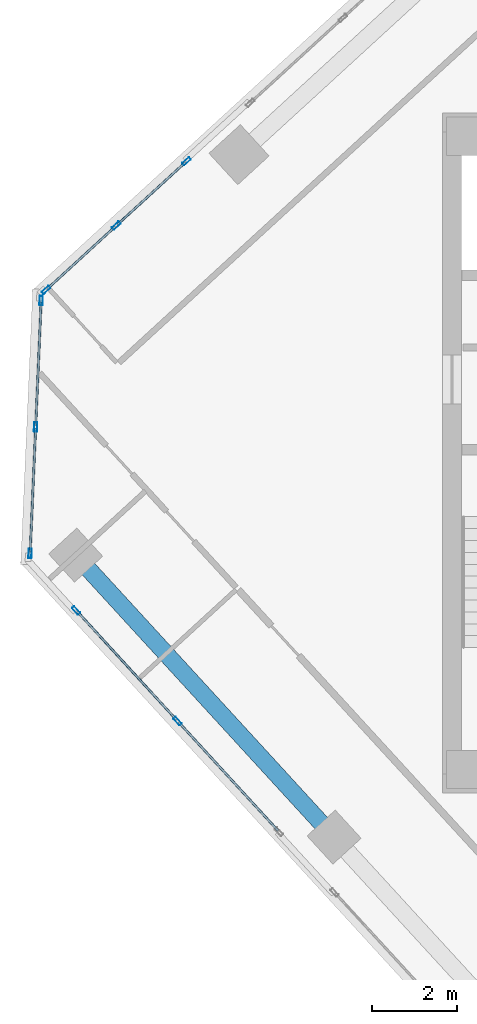
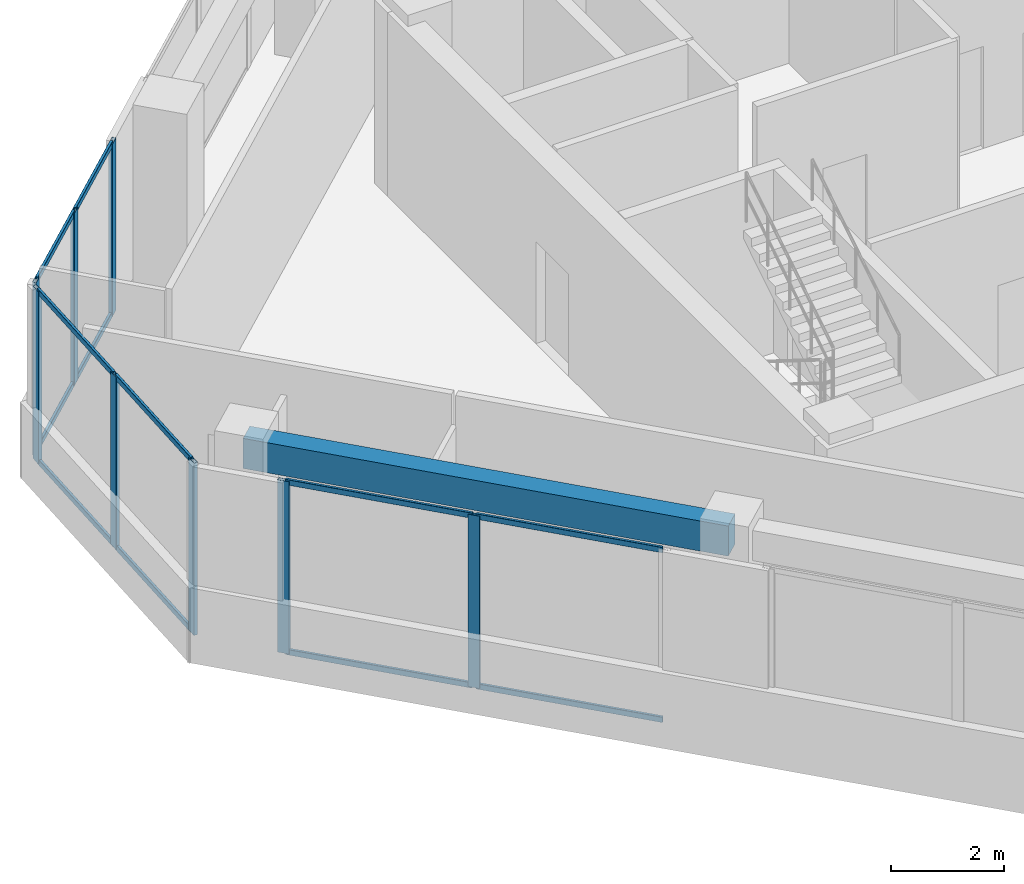
# One storey, part 4 of 18: 20 members, 1 beam, 3 elements without a shape of their own.
"""IFC4 building model written with IfcOpenShell, lengths in metres."""

from ifc_helpers import new_model, si_unit, direction, frame, origin, origin_2d, place, context, subcontext, project, spatial, rectangle, hollow_rectangle, extrude, source, transform, mapped, material, material_profile, profile_set, type_object, element, aggregate, save


model = new_model("IFC4")

# Units and contexts
model_context = context("Model", 3, precision=1e-05, world=origin(), true_north=direction((0.0, 1.0)))
body_context = subcontext(model_context, "Body", "Model", "MODEL_VIEW")
ifc_project = project(units=[si_unit("LENGTHUNIT", "METRE"), si_unit("AREAUNIT", "SQUARE_METRE"), si_unit("VOLUMEUNIT", "CUBIC_METRE"), si_unit("PLANEANGLEUNIT", "RADIAN"), si_unit("MASSUNIT", "GRAM", prefix="KILO")], contexts=[model_context])

# Site, building, storey
site_placement = place(None, origin())
site = spatial("IfcSite", under=ifc_project, at=site_placement, CompositionType="ELEMENT")
building_placement = place(site_placement, origin())
building = spatial("IfcBuilding", under=site, at=building_placement, Name="Torre Montelarca", CompositionType="ELEMENT")
storey_placement = place(building_placement, frame((0.0, 0.0, 258.39990234375)))
storey = spatial("IfcBuildingStorey", under=building, at=storey_placement, Name="L58", CompositionType="ELEMENT", Elevation=258.39990234375)

# Beam
ifc_material_1 = material(Name="Concrete C40/50", Category="concrete")
ifc_material_profile_1 = material_profile(ifc_material_1, rectangle(XDim=0.39990234375, YDim=0.64990234375, at=origin_2d()), Name="RCB400X650", Category="concrete")
ifc_profile_set_1 = profile_set([ifc_material_profile_1], Name="Concrete C40/50")
beam_type = type_object("IfcBeamType", Name="BM-SP-RC650-EXT", PredefinedType="SPANDREL", material=ifc_profile_set_1)
shared_shape_1 = source(origin(), body_context, "Body", "SweptSolid", [
    extrude(rectangle(XDim=0.39990234375, YDim=0.64990234375, at=origin_2d()), origin(), (0.0, 0.0, 1.0), 9.0),
])
beam_placement = place(storey_placement, frame((0.3740234375, 29.595703125, 3.635009765625), z_axis=(0.675590724023, -0.73727686361, 0.0), x_axis=(0.73727686361, 0.675590724023, 0.0)))
element("IfcBeam", 1, at=beam_placement, inside=storey, type_object=beam_type, Name="L58 Grid Girder X 9.0-18.0 at Y=14.8", PredefinedType="SPANDREL", context=body_context, shape_type="MappedRepresentation", body=[
    mapped(shared_shape_1, transform((0.0, 0.0, 0.0), scale=1.0)),
])

# Curtain wall, members
ifc_material_2 = material(Name="Insulated low-E laminated glass", Category="glass")
curtain_wall_type = type_object("IfcCurtainWallType", Name="CW-SYS-Z3", PredefinedType="USERDEFINED", material=ifc_material_2)
curtain_wall_1_placement = place(storey_placement, origin())
curtain_wall_1 = element("IfcCurtainWall", 2, at=curtain_wall_1_placement, inside=storey, type_object=curtain_wall_type, Name="L58 Curtain Wall Run CW-T3-L58-E11-B1", ObjectType="UNITISED GLAZING", PredefinedType="USERDEFINED")
ifc_material_3 = material(Name="Anodised aluminium AA 6063-T6", Category="aluminium")
ifc_material_profile_2 = material_profile(ifc_material_3, hollow_rectangle(XDim=0.054931640625, YDim=0.1201171875, WallThickness=0.00341796875, InnerFilletRadius=0.00341796875, OuterFilletRadius=0.007080078125, at=origin_2d()), Name="ALU55X120X3.5", Category="aluminium")
ifc_profile_set_2 = profile_set([ifc_material_profile_2], Name="Anodised aluminium AA 6063-T6")
member_type_1 = type_object("IfcMemberType", Name="CWT-ALU120", PredefinedType="USERDEFINED", material=ifc_profile_set_2)
shared_shape_2 = source(origin(), body_context, "Body", "SweptSolid", [
    extrude(hollow_rectangle(XDim=0.054931640625, YDim=0.1201171875, WallThickness=0.00341796875, InnerFilletRadius=0.00341796875, OuterFilletRadius=0.007080078125, at=origin_2d()), origin(), (0.0, 0.0, 1.0), 2.903564453125),
])
member_1_placement = place(storey_placement, frame((-0.439208984375, 35.5478515625, 0.027587890625), z_axis=(-0.043637906688, -0.999047412839, 0.0), x_axis=(0.999047412839, -0.043637906688, 0.0)))
member_1 = element("IfcMember", 3, at=member_1_placement, type_object=member_type_1, Name="CW transom 1.1", ObjectType="TRANSOM", PredefinedType="USERDEFINED", context=body_context, shape_type="MappedRepresentation", body=[
    mapped(shared_shape_2, transform((0.0, 0.0, 0.0), scale=1.0)),
])
member_2_placement = place(storey_placement, frame((-0.439208984375, 35.5478515625, 3.692626953125), z_axis=(-0.043637906688, -0.999047412839, 0.0), x_axis=(0.999047412839, -0.043637906688, 0.0)))
member_2 = element("IfcMember", 4, at=member_2_placement, type_object=member_type_1, Name="CW transom 1.2", ObjectType="TRANSOM", PredefinedType="USERDEFINED", context=body_context, shape_type="MappedRepresentation", body=[
    mapped(shared_shape_2, transform((0.0, 0.0, 0.0), scale=1.0)),
])
member_3_placement = place(storey_placement, frame((-0.569091796875, 32.572021484375, 0.027587890625), z_axis=(-0.043637906688, -0.999047412839, 0.0), x_axis=(0.999047412839, -0.043637906688, 0.0)))
member_3 = element("IfcMember", 5, at=member_3_placement, type_object=member_type_1, Name="CW transom 2.1", ObjectType="TRANSOM", PredefinedType="USERDEFINED", context=body_context, shape_type="MappedRepresentation", body=[
    mapped(shared_shape_2, transform((0.0, 0.0, 0.0), scale=1.0)),
])
member_4_placement = place(storey_placement, frame((-0.569091796875, 32.572021484375, 3.692626953125), z_axis=(-0.043637906688, -0.999047412839, 0.0), x_axis=(0.999047412839, -0.043637906688, 0.0)))
member_4 = element("IfcMember", 6, at=member_4_placement, type_object=member_type_1, Name="CW transom 2.2", ObjectType="TRANSOM", PredefinedType="USERDEFINED", context=body_context, shape_type="MappedRepresentation", body=[
    mapped(shared_shape_2, transform((0.0, 0.0, 0.0), scale=1.0)),
])

curtain_wall_2_placement = place(storey_placement, origin())
curtain_wall_2 = element("IfcCurtainWall", 7, at=curtain_wall_2_placement, inside=storey, type_object=curtain_wall_type, Name="L58 Curtain Wall Run CW-T3-L58-E01-B1", ObjectType="UNITISED GLAZING", PredefinedType="USERDEFINED")
ifc_material_profile_3 = material_profile(ifc_material_3, hollow_rectangle(XDim=0.074951171875, YDim=0.219970703125, WallThickness=0.0048828125, InnerFilletRadius=0.0048828125, OuterFilletRadius=0.010009765625, at=origin_2d()), Name="ALU75X220X5", Category="aluminium")
ifc_profile_set_3 = profile_set([ifc_material_profile_3], Name="Anodised aluminium AA 6063-T6")
member_type_2 = type_object("IfcMemberType", Name="CWM-ALU220", PredefinedType="MULLION", material=ifc_profile_set_3)
shared_shape_3 = source(origin(), body_context, "Body", "SweptSolid", [
    extrude(hollow_rectangle(XDim=0.074951171875, YDim=0.219970703125, WallThickness=0.0048828125, InnerFilletRadius=0.0048828125, OuterFilletRadius=0.010009765625, at=origin_2d()), origin(), (0.0, 0.0, 1.0), 3.72021484375),
])
member_5_placement = place(storey_placement, frame((0.38623046875, 28.294677734375, 0.0), z_axis=(0.0, 0.0, 1.0), x_axis=(0.737280864372, 0.675586357937, 0.0)))
member_5 = element("IfcMember", 8, at=member_5_placement, type_object=member_type_2, Name="CW mullion 1", PredefinedType="MULLION", context=body_context, shape_type="MappedRepresentation", body=[
    mapped(shared_shape_3, transform((0.0, 0.0, 0.0), scale=1.0)),
])
member_6_placement = place(storey_placement, frame((2.772705078125, 25.690185546875, 0.0), z_axis=(0.0, 0.0, 1.0), x_axis=(0.737280864372, 0.675586357937, 0.0)))
member_6 = element("IfcMember", 9, at=member_6_placement, type_object=member_type_2, Name="CW mullion 2", PredefinedType="MULLION", context=body_context, shape_type="MappedRepresentation", body=[
    mapped(shared_shape_3, transform((0.0, 0.0, 0.0), scale=1.0)),
])

curtain_wall_3_placement = place(storey_placement, origin())
curtain_wall_3 = element("IfcCurtainWall", 10, at=curtain_wall_3_placement, inside=storey, type_object=curtain_wall_type, Name="L58 Curtain Wall Run CW-T3-L58-E10-B3", ObjectType="UNITISED GLAZING", PredefinedType="USERDEFINED")
member_7_placement = place(storey_placement, frame((2.9814453125, 38.86181640625, 0.0), z_axis=(0.0, 0.0, 1.0), x_axis=(0.675583426285, -0.737283550698, 0.0)))
member_7 = element("IfcMember", 11, at=member_7_placement, type_object=member_type_2, Name="CW mullion 1", PredefinedType="MULLION", context=body_context, shape_type="MappedRepresentation", body=[
    mapped(shared_shape_3, transform((0.0, 0.0, 0.0), scale=1.0)),
])
member_8_placement = place(storey_placement, frame((1.330322265625, 37.348876953125, 0.0), z_axis=(0.0, 0.0, 1.0), x_axis=(0.675583426285, -0.737283550698, 0.0)))
member_8 = element("IfcMember", 12, at=member_8_placement, type_object=member_type_2, Name="CW mullion 2", PredefinedType="MULLION", context=body_context, shape_type="MappedRepresentation", body=[
    mapped(shared_shape_3, transform((0.0, 0.0, 0.0), scale=1.0)),
])
member_9_placement = place(storey_placement, frame((-0.321044921875, 35.835693359375, 0.0), z_axis=(0.0, 0.0, 1.0), x_axis=(0.675583426285, -0.737283550698, 0.0)))
member_9 = element("IfcMember", 13, at=member_9_placement, type_object=member_type_2, Name="CW mullion 3", PredefinedType="MULLION", context=body_context, shape_type="MappedRepresentation", body=[
    mapped(shared_shape_3, transform((0.0, 0.0, 0.0), scale=1.0)),
])

# Member
member_10_placement = place(storey_placement, frame((-0.437744140625, 35.58544921875, 0.0), z_axis=(0.0, 0.0, 1.0), x_axis=(0.999048385364, -0.043615635968, 0.0)))
member_10 = element("IfcMember", 14, at=member_10_placement, type_object=member_type_2, Name="CW mullion 1", PredefinedType="MULLION", context=body_context, shape_type="MappedRepresentation", body=[
    mapped(shared_shape_3, transform((0.0, 0.0, 0.0), scale=1.0)),
])

member_11_placement = place(storey_placement, frame((-0.567626953125, 32.609619140625, 0.0), z_axis=(0.0, 0.0, 1.0), x_axis=(0.999048385364, -0.043615635968, 0.0)))
member_11 = element("IfcMember", 15, at=member_11_placement, type_object=member_type_2, Name="CW mullion 2", PredefinedType="MULLION", context=body_context, shape_type="MappedRepresentation", body=[
    mapped(shared_shape_3, transform((0.0, 0.0, 0.0), scale=1.0)),
])

member_12_placement = place(storey_placement, frame((-0.697509765625, 29.6337890625, 0.0), z_axis=(0.0, 0.0, 1.0), x_axis=(0.999048385364, -0.043615635968, 0.0)))
member_12 = element("IfcMember", 16, at=member_12_placement, type_object=member_type_2, Name="CW mullion 3", PredefinedType="MULLION", context=body_context, shape_type="MappedRepresentation", body=[
    mapped(shared_shape_3, transform((0.0, 0.0, 0.0), scale=1.0)),
])

aggregate(curtain_wall_1, [member_10, member_11, member_12, member_1, member_2, member_3, member_4])

shared_shape_4 = source(origin(), body_context, "Body", "SweptSolid", [
    extrude(hollow_rectangle(XDim=0.054931640625, YDim=0.1201171875, WallThickness=0.00341796875, InnerFilletRadius=0.00341796875, OuterFilletRadius=0.007080078125, at=origin_2d()), origin(), (0.0, 0.0, 1.0), 3.45751953125),
])
member_13_placement = place(storey_placement, frame((2.798095703125, 25.66259765625, 0.027587890625), z_axis=(0.675612707853, -0.737256718509, 0.0), x_axis=(0.737256718509, 0.675612707853, 0.0)))
member_13 = element("IfcMember", 17, at=member_13_placement, type_object=member_type_1, Name="CW transom 2.1", ObjectType="TRANSOM", PredefinedType="USERDEFINED", context=body_context, shape_type="MappedRepresentation", body=[
    mapped(shared_shape_4, transform((0.0, 0.0, 0.0), scale=1.0)),
])

member_14_placement = place(storey_placement, frame((2.798095703125, 25.66259765625, 3.692626953125), z_axis=(0.675612707853, -0.737256718509, 0.0), x_axis=(0.737256718509, 0.675612707853, 0.0)))
member_14 = element("IfcMember", 18, at=member_14_placement, type_object=member_type_1, Name="CW transom 2.2", ObjectType="TRANSOM", PredefinedType="USERDEFINED", context=body_context, shape_type="MappedRepresentation", body=[
    mapped(shared_shape_4, transform((0.0, 0.0, 0.0), scale=1.0)),
])

shared_shape_5 = source(origin(), body_context, "Body", "SweptSolid", [
    extrude(hollow_rectangle(XDim=0.054931640625, YDim=0.1201171875, WallThickness=0.00341796875, InnerFilletRadius=0.00341796875, OuterFilletRadius=0.007080078125, at=origin_2d()), origin(), (0.0, 0.0, 1.0), 3.457275390625),
])
member_15_placement = place(storey_placement, frame((0.41162109375, 28.26708984375, 0.027587890625), z_axis=(0.675574324298, -0.737291890874, 0.0), x_axis=(0.737291890874, 0.675574324298, 0.0)))
member_15 = element("IfcMember", 19, at=member_15_placement, type_object=member_type_1, Name="CW transom 1.1", ObjectType="TRANSOM", PredefinedType="USERDEFINED", context=body_context, shape_type="MappedRepresentation", body=[
    mapped(shared_shape_5, transform((0.0, 0.0, 0.0), scale=1.0)),
])

member_16_placement = place(storey_placement, frame((0.41162109375, 28.26708984375, 3.692626953125), z_axis=(0.675574324298, -0.737291890874, 0.0), x_axis=(0.737291890874, 0.675574324298, 0.0)))
member_16 = element("IfcMember", 20, at=member_16_placement, type_object=member_type_1, Name="CW transom 1.2", ObjectType="TRANSOM", PredefinedType="USERDEFINED", context=body_context, shape_type="MappedRepresentation", body=[
    mapped(shared_shape_5, transform((0.0, 0.0, 0.0), scale=1.0)),
])

aggregate(curtain_wall_2, [member_5, member_6, member_15, member_16, member_13, member_14])

shared_shape_6 = source(origin(), body_context, "Body", "SweptSolid", [
    extrude(hollow_rectangle(XDim=0.054931640625, YDim=0.1201171875, WallThickness=0.00341796875, InnerFilletRadius=0.00341796875, OuterFilletRadius=0.007080078125, at=origin_2d()), origin(), (0.0, 0.0, 1.0), 2.16455078125),
])
member_17_placement = place(storey_placement, frame((2.953857421875, 38.83642578125, 0.027587890625), z_axis=(-0.737280532479, -0.675586720139, 0.0), x_axis=(0.675586720139, -0.737280532479, 0.0)))
member_17 = element("IfcMember", 21, at=member_17_placement, type_object=member_type_1, Name="CW transom 1.1", ObjectType="TRANSOM", PredefinedType="USERDEFINED", context=body_context, shape_type="MappedRepresentation", body=[
    mapped(shared_shape_6, transform((0.0, 0.0, 0.0), scale=1.0)),
])

member_18_placement = place(storey_placement, frame((2.953857421875, 38.83642578125, 3.692626953125), z_axis=(-0.737280532479, -0.675586720139, 0.0), x_axis=(0.675586720139, -0.737280532479, 0.0)))
member_18 = element("IfcMember", 22, at=member_18_placement, type_object=member_type_1, Name="CW transom 1.2", ObjectType="TRANSOM", PredefinedType="USERDEFINED", context=body_context, shape_type="MappedRepresentation", body=[
    mapped(shared_shape_6, transform((0.0, 0.0, 0.0), scale=1.0)),
])

member_19_placement = place(storey_placement, frame((1.302734375, 37.323486328125, 0.027587890625), z_axis=(-0.737280532479, -0.675586720139, 0.0), x_axis=(0.675586720139, -0.737280532479, 0.0)))
member_19 = element("IfcMember", 23, at=member_19_placement, type_object=member_type_1, Name="CW transom 2.1", ObjectType="TRANSOM", PredefinedType="USERDEFINED", context=body_context, shape_type="MappedRepresentation", body=[
    mapped(shared_shape_6, transform((0.0, 0.0, 0.0), scale=1.0)),
])

member_20_placement = place(storey_placement, frame((1.302734375, 37.323486328125, 3.692626953125), z_axis=(-0.737280532479, -0.675586720139, 0.0), x_axis=(0.675586720139, -0.737280532479, 0.0)))
member_20 = element("IfcMember", 24, at=member_20_placement, type_object=member_type_1, Name="CW transom 2.2", ObjectType="TRANSOM", PredefinedType="USERDEFINED", context=body_context, shape_type="MappedRepresentation", body=[
    mapped(shared_shape_6, transform((0.0, 0.0, 0.0), scale=1.0)),
])

aggregate(curtain_wall_3, [member_7, member_8, member_9, member_17, member_18, member_19, member_20])

save(model, "model.ifc")
